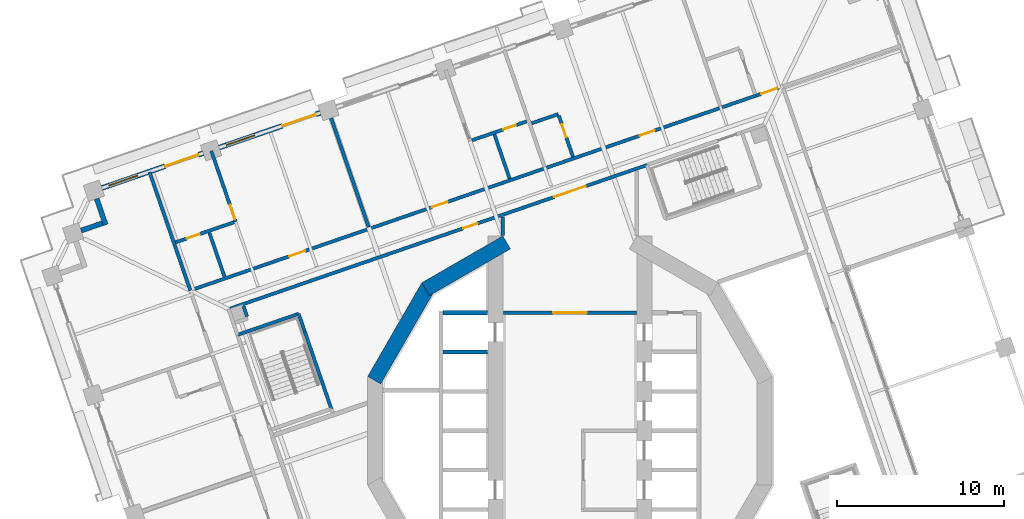
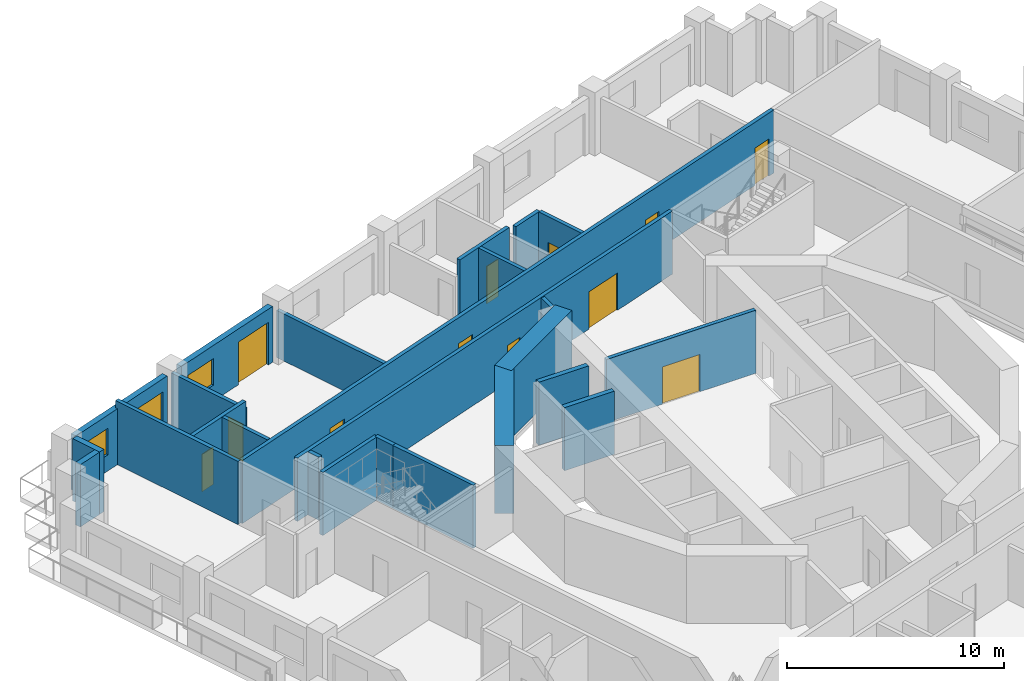
# One storey, part 12 of 22: 25 walls, 13 doors, 2 windows, 15 openings.
"""IFC4 building model written with IfcOpenShell, lengths in metres."""

from ifc_helpers import new_model, si_unit, direction, frame, frame_2d, origin, place, context, subcontext, project, spatial, rectangle, extrude, material, layer, layer_set, type_object, element, fill, save


model = new_model("IFC4")

# Units and contexts
model_context = context("Model", 3, precision=1e-05, world=origin(), true_north=direction((0.0, 1.0)))
body_context = subcontext(model_context, "Body", "Model", "MODEL_VIEW")
ifc_project = project(units=[si_unit("LENGTHUNIT", "METRE"), si_unit("AREAUNIT", "SQUARE_METRE"), si_unit("VOLUMEUNIT", "CUBIC_METRE"), si_unit("PLANEANGLEUNIT", "RADIAN"), si_unit("MASSUNIT", "GRAM", prefix="KILO")], contexts=[model_context])

# Site, building, storey
site_placement = place(None, origin())
site = spatial("IfcSite", under=ifc_project, at=site_placement, CompositionType="ELEMENT")
building_placement = place(site_placement, origin())
building = spatial("IfcBuilding", under=site, at=building_placement, Name="Cantera Rosa Tower", CompositionType="ELEMENT")
storey_placement = place(building_placement, frame((0.0, 0.0, 115.5)))
storey = spatial("IfcBuildingStorey", under=building, at=storey_placement, Name="L23", CompositionType="ELEMENT", Elevation=115.5)

# Wall
ifc_material_1 = material(Name="Gypsum board partition")
ifc_layer_1 = layer(ifc_material_1, 0.199951171875)
ifc_layer_set_1 = layer_set([ifc_layer_1], Name="CORRIDOR WALL 200 H3550")
wall_type_1 = type_object("IfcWallType", Name="CORRIDOR WALL 200 H3550", PredefinedType="PARTITIONING", material=ifc_layer_set_1)
wall_1_placement = place(storey_placement, frame((-4.0, 12.760498046875, 0.0), z_axis=(0.0, 0.0, 1.0), x_axis=(0.0, -1.0, 0.0)))
element("IfcWall", 1, at=wall_1_placement, inside=storey, type_object=wall_type_1, Name="CORRIDOR WALL L23-050", PredefinedType="PARTITIONING", context=body_context, shape_type="SweptSolid", body=[
    extrude(rectangle(XDim=1.09326171875, YDim=0.199951171875, at=frame_2d((0.546630859375, 0.0))), origin(), (0.0, 0.0, 1.0), 3.550048828125),
])

# Wall, opening, door
wall_2_placement = place(storey_placement, frame((-3.969970703125, 7.050048828125, 0.0), z_axis=(0.0, 0.0, 1.0), x_axis=(1.0, 0.0, 0.0)))
wall_2 = element("IfcWall", 2, at=wall_2_placement, inside=storey, type_object=wall_type_1, Name="CORRIDOR WALL L23-051", PredefinedType="PARTITIONING", context=body_context, shape_type="SweptSolid", body=[
    extrude(rectangle(XDim=7.93994140625, YDim=0.199951171875, at=frame_2d((3.969970703125, 0.0))), origin(), (0.0, 0.0, 1.0), 3.550048828125),
])
opening_1_placement = place(wall_2_placement, frame((2.969970703125, 0.0, 0.0)))
opening_1 = element("IfcOpeningElement", 3, at=opening_1_placement, cuts=wall_2, Name="Opening L23-008", PredefinedType="OPENING", context=body_context, shape_type="SweptSolid", body=[
    extrude(rectangle(XDim=2.0, YDim=2.10009765625, at=frame_2d((1.0, 1.050048828125))), frame((0.0, 0.10986328125, 0.0), z_axis=(0.0, -1.0, 0.0), x_axis=(1.0, 0.0, 0.0)), (0.0, 0.0, 1.0), 0.219970703125),
])
ifc_material_2 = material(Name="Steel S355J2 (EN 10025-2)", Category="steel")
door_type_1 = type_object("IfcDoorType", Name="LOBBY SCREEN DOOR 2000x2100", OperationType="NOTDEFINED", PredefinedType="DOOR", material=ifc_material_2)
door_1_placement = place(opening_1_placement, origin())
door_1 = element("IfcDoor", 4, at=door_1_placement, inside=storey, type_object=door_type_1, Name="DOOR L23-008", OperationType="NOTDEFINED", OverallHeight=2.10009765625, OverallWidth=2.0, PredefinedType="DOOR", context=body_context, shape_type="SweptSolid", body=[
    extrude(rectangle(XDim=2.0, YDim=2.10009765625, at=frame_2d((1.0, 1.050048828125))), frame((0.0, 0.02490234375, 0.0), z_axis=(0.0, -1.0, 0.0), x_axis=(1.0, 0.0, 0.0)), (0.0, 0.0, 1.0), 0.050048828125),
])
fill(opening_1, door_1)

# Wall, openings, doors
wall_3_placement = place(storey_placement, frame((4.599365234375, 15.861572265625, 0.0), z_axis=(0.0, 0.0, 1.0), x_axis=(-0.945517734257, -0.325570597884, 0.0)))
wall_3 = element("IfcWall", 5, at=wall_3_placement, inside=storey, type_object=wall_type_1, Name="CORRIDOR WALL L23-071", PredefinedType="PARTITIONING", context=body_context, shape_type="SweptSolid", body=[
    extrude(rectangle(XDim=26.312744140625, YDim=0.199951171875, at=frame_2d((13.15625, 0.0))), origin(), (0.0, 0.0, 1.0), 3.550048828125),
])
opening_2_placement = place(wall_3_placement, frame((10.697021484375, 0.0, 0.0)))
opening_2 = element("IfcOpeningElement", 6, at=opening_2_placement, cuts=wall_3, Name="Opening L23-004", PredefinedType="OPENING", context=body_context, shape_type="SweptSolid", body=[
    extrude(rectangle(XDim=0.89990234375, YDim=2.10009765625, at=frame_2d((0.449951171875, 1.050048828125))), frame((0.0, 0.10986328125, 0.0), z_axis=(0.0, -1.0, 0.0), x_axis=(1.0, 0.0, 0.0)), (0.0, 0.0, 1.0), 0.219970703125),
])
opening_3_placement = place(wall_3_placement, frame((3.864501953125, 0.0, 0.0)))
opening_3 = element("IfcOpeningElement", 7, at=opening_3_placement, cuts=wall_3, Name="Opening L23-007", PredefinedType="OPENING", context=body_context, shape_type="SweptSolid", body=[
    extrude(rectangle(XDim=2.0, YDim=2.10009765625, at=frame_2d((1.0, 1.050048828125))), frame((0.0, 0.10986328125, 0.0), z_axis=(0.0, -1.0, 0.0), x_axis=(1.0, 0.0, 0.0)), (0.0, 0.0, 1.0), 0.219970703125),
])
door_2_placement = place(opening_3_placement, origin())
door_2 = element("IfcDoor", 8, at=door_2_placement, inside=storey, type_object=door_type_1, Name="DOOR L23-007", OperationType="NOTDEFINED", OverallHeight=2.10009765625, OverallWidth=2.0, PredefinedType="DOOR", context=body_context, shape_type="SweptSolid", body=[
    extrude(rectangle(XDim=2.0, YDim=2.10009765625, at=frame_2d((1.0, 1.050048828125))), frame((0.0, 0.02490234375, 0.0), z_axis=(0.0, -1.0, 0.0), x_axis=(1.0, 0.0, 0.0)), (0.0, 0.0, 1.0), 0.050048828125),
])
fill(opening_3, door_2)
ifc_material_3 = material(Name="Timber door leaf", Category="wood")
door_type_2 = type_object("IfcDoorType", Name="SERVICE DOOR 900x2100", OperationType="NOTDEFINED", PredefinedType="DOOR", material=ifc_material_3)
door_3_placement = place(opening_2_placement, origin())
door_3 = element("IfcDoor", 9, at=door_3_placement, inside=storey, type_object=door_type_2, Name="DOOR L23-004", OperationType="NOTDEFINED", OverallHeight=2.10009765625, OverallWidth=0.89990234375, PredefinedType="DOOR", context=body_context, shape_type="SweptSolid", body=[
    extrude(rectangle(XDim=0.89990234375, YDim=2.10009765625, at=frame_2d((0.449951171875, 1.050048828125))), frame((0.0, 0.02490234375, 0.0), z_axis=(0.0, -1.0, 0.0), x_axis=(1.0, 0.0, 0.0)), (0.0, 0.0, 1.0), 0.050048828125),
])
fill(opening_2, door_3)

wall_4_placement = place(storey_placement, frame((12.699951171875, 20.5546875, 0.0), z_axis=(0.0, 0.0, 1.0), x_axis=(-0.945517636741, -0.325570881087, 0.0)))
wall_4 = element("IfcWall", 10, at=wall_4_placement, inside=storey, type_object=wall_type_1, Name="CORRIDOR WALL L23-093", PredefinedType="PARTITIONING", context=body_context, shape_type="SweptSolid", body=[
    extrude(rectangle(XDim=37.300048828125, YDim=0.199951171875, at=frame_2d((18.64990234375, 0.0))), origin(), (0.0, 0.0, 1.0), 3.550048828125),
])
opening_4_placement = place(wall_4_placement, frame((8.074951171875, 0.0, 0.0)))
opening_4 = element("IfcOpeningElement", 11, at=opening_4_placement, cuts=wall_4, Name="Opening L23-017", PredefinedType="OPENING", context=body_context, shape_type="SweptSolid", body=[
    extrude(rectangle(XDim=0.949951171875, YDim=2.10009765625, at=frame_2d((0.47509765625, 1.050048828125))), frame((0.0, 0.10986328125, 0.0), z_axis=(0.0, -1.0, 0.0), x_axis=(1.0, 0.0, 0.0)), (0.0, 0.0, 1.0), 0.219970703125),
])
opening_5_placement = place(wall_4_placement, frame((21.14990234375, 0.0, 0.0)))
opening_5 = element("IfcOpeningElement", 12, at=opening_5_placement, cuts=wall_4, Name="Opening L23-019", PredefinedType="OPENING", context=body_context, shape_type="SweptSolid", body=[
    extrude(rectangle(XDim=1.0, YDim=2.10009765625, at=frame_2d((0.5, 1.050048828125))), frame((0.0, 0.10986328125, 0.0), z_axis=(0.0, -1.0, 0.0), x_axis=(1.0, 0.0, 0.0)), (0.0, 0.0, 1.0), 0.219970703125),
])
opening_6_placement = place(wall_4_placement, frame((30.14990234375, 0.0, 0.0)))
opening_6 = element("IfcOpeningElement", 13, at=opening_6_placement, cuts=wall_4, Name="Opening L23-022", PredefinedType="OPENING", context=body_context, shape_type="SweptSolid", body=[
    extrude(rectangle(XDim=1.0, YDim=2.10009765625, at=frame_2d((0.5, 1.050048828125))), frame((0.0, 0.10986328125, 0.0), z_axis=(0.0, -1.0, 0.0), x_axis=(1.0, 0.0, 0.0)), (0.0, 0.0, 1.0), 0.219970703125),
])
opening_7_placement = place(wall_4_placement, frame((0.35009765625, 0.0, 0.0)))
opening_7 = element("IfcOpeningElement", 14, at=opening_7_placement, cuts=wall_4, Name="Opening L23-025", PredefinedType="OPENING", context=body_context, shape_type="SweptSolid", body=[
    extrude(rectangle(XDim=1.0, YDim=2.10009765625, at=frame_2d((0.5, 1.050048828125))), frame((0.0, 0.10986328125, 0.0), z_axis=(0.0, -1.0, 0.0), x_axis=(1.0, 0.0, 0.0)), (0.0, 0.0, 1.0), 0.219970703125),
])
ifc_material_4 = material(Name="Timber door leaf", Category="wood")
door_type_3 = type_object("IfcDoorType", Name="ENTRANCE DOOR 1000x2100", OperationType="NOTDEFINED", PredefinedType="DOOR", material=ifc_material_4)
door_4_placement = place(opening_5_placement, origin())
door_4 = element("IfcDoor", 15, at=door_4_placement, inside=storey, type_object=door_type_3, Name="DOOR L23-019", OperationType="NOTDEFINED", OverallHeight=2.10009765625, OverallWidth=1.0, PredefinedType="DOOR", context=body_context, shape_type="SweptSolid", body=[
    extrude(rectangle(XDim=1.0, YDim=2.10009765625, at=frame_2d((0.5, 1.050048828125))), frame((0.0, 0.02490234375, 0.0), z_axis=(0.0, -1.0, 0.0), x_axis=(1.0, 0.0, 0.0)), (0.0, 0.0, 1.0), 0.050048828125),
])
fill(opening_5, door_4)
door_5_placement = place(opening_6_placement, origin())
door_5 = element("IfcDoor", 16, at=door_5_placement, inside=storey, type_object=door_type_3, Name="DOOR L23-022", OperationType="NOTDEFINED", OverallHeight=2.10009765625, OverallWidth=1.0, PredefinedType="DOOR", context=body_context, shape_type="SweptSolid", body=[
    extrude(rectangle(XDim=1.0, YDim=2.10009765625, at=frame_2d((0.5, 1.050048828125))), frame((0.0, 0.02490234375, 0.0), z_axis=(0.0, -1.0, 0.0), x_axis=(1.0, 0.0, 0.0)), (0.0, 0.0, 1.0), 0.050048828125),
])
fill(opening_6, door_5)
door_6_placement = place(opening_7_placement, origin())
door_6 = element("IfcDoor", 17, at=door_6_placement, inside=storey, type_object=door_type_3, Name="DOOR L23-025", OperationType="NOTDEFINED", OverallHeight=2.10009765625, OverallWidth=1.0, PredefinedType="DOOR", context=body_context, shape_type="SweptSolid", body=[
    extrude(rectangle(XDim=1.0, YDim=2.10009765625, at=frame_2d((0.5, 1.050048828125))), frame((0.0, 0.02490234375, 0.0), z_axis=(0.0, -1.0, 0.0), x_axis=(1.0, 0.0, 0.0)), (0.0, 0.0, 1.0), 0.050048828125),
])
fill(opening_7, door_6)
ifc_material_5 = material(Name="Timber door leaf", Category="wood")
door_type_4 = type_object("IfcDoorType", Name="ROOM DOOR 950x2100", OperationType="NOTDEFINED", PredefinedType="DOOR", material=ifc_material_5)
door_7_placement = place(opening_4_placement, origin())
door_7 = element("IfcDoor", 18, at=door_7_placement, inside=storey, type_object=door_type_4, Name="DOOR L23-017", OperationType="NOTDEFINED", OverallHeight=2.10009765625, OverallWidth=0.949951171875, PredefinedType="DOOR", context=body_context, shape_type="SweptSolid", body=[
    extrude(rectangle(XDim=0.949951171875, YDim=2.10009765625, at=frame_2d((0.47509765625, 1.050048828125))), frame((0.0, 0.02490234375, 0.0), z_axis=(0.0, -1.0, 0.0), x_axis=(1.0, 0.0, 0.0)), (0.0, 0.0, 1.0), 0.050048828125),
])
fill(opening_4, door_7)

# Walls
ifc_material_6 = material(Name="Hollow clay masonry with cantera stone cladding", Category="masonry")
ifc_layer_2 = layer(ifc_material_6, 0.300048828125)
ifc_layer_set_2 = layer_set([ifc_layer_2], Name="EW-LOGGIA 300")
wall_type_2 = type_object("IfcWallType", Name="EW-LOGGIA 300", PredefinedType="SOLIDWALL", material=ifc_layer_set_2)
wall_5_placement = place(storey_placement, frame((-28.250732421875, 13.857421875, 0.0), z_axis=(0.0, 0.0, 1.0), x_axis=(0.325666906351, -0.945484566827, 0.0)))
element("IfcWall", 19, at=wall_5_placement, inside=storey, type_object=wall_type_2, Name="EN-L23-W14a", PredefinedType="SOLIDWALL", context=body_context, shape_type="SweptSolid", body=[
    extrude(rectangle(XDim=1.64990234375, YDim=0.300048828125, at=frame_2d((0.824951171875, 0.0))), origin(), (0.0, 0.0, 1.0), 3.5),
])
wall_6_placement = place(storey_placement, frame((-27.904052734375, 12.390380859375, 0.0), z_axis=(0.0, 0.0, 1.0), x_axis=(-0.945545797087, -0.325489086777, 0.0)))
element("IfcWall", 20, at=wall_6_placement, inside=storey, type_object=wall_type_2, Name="EN-L23-W14b", PredefinedType="SOLIDWALL", context=body_context, shape_type="SweptSolid", body=[
    extrude(rectangle(XDim=1.35009765625, YDim=0.300048828125, at=frame_2d((0.675048828125, 0.0))), origin(), (0.0, 0.0, 1.0), 3.5),
])

# Wall, openings, window, door
ifc_material_7 = material(Name="Hollow clay masonry with cantera stone cladding", Category="masonry")
ifc_layer_3 = layer(ifc_material_7, 0.300048828125)
ifc_layer_set_3 = layer_set([ifc_layer_3], Name="EW-LOGGIA 300 H3140")
wall_type_3 = type_object("IfcWallType", Name="EW-LOGGIA 300 H3140", PredefinedType="SOLIDWALL", material=ifc_layer_set_3)
wall_7_placement = place(storey_placement, frame((-14.892578125, 18.98583984375, 0.0), z_axis=(0.0, 0.0, 1.0), x_axis=(-0.945512753621, -0.325585062219, 0.0)))
wall_7 = element("IfcWall", 21, at=wall_7_placement, inside=storey, type_object=wall_type_3, Name="EN-L23-W12", PredefinedType="SOLIDWALL", context=body_context, shape_type="SweptSolid", body=[
    extrude(rectangle(XDim=6.39990234375, YDim=0.300048828125, at=frame_2d((3.199951171875, 0.0))), origin(), (0.0, 0.0, 1.0), 3.139892578125),
])
opening_8_placement = place(wall_7_placement, frame((0.300048828125, 0.0, 0.0)))
opening_8 = element("IfcOpeningElement", 22, at=opening_8_placement, cuts=wall_7, Name="Opening L23-TD15", PredefinedType="OPENING", context=body_context, shape_type="SweptSolid", body=[
    extrude(rectangle(XDim=2.10009765625, YDim=2.39990234375, at=frame_2d((1.050048828125, 1.199951171875))), frame((0.0, 0.159912109375, 0.0), z_axis=(0.0, -1.0, 0.0), x_axis=(1.0, 0.0, 0.0)), (0.0, 0.0, 1.0), 0.320068359375),
])
opening_9_placement = place(wall_7_placement, frame((4.14990234375, 0.0, 0.89990234375)))
opening_9 = element("IfcOpeningElement", 23, at=opening_9_placement, cuts=wall_7, Name="Opening L23-W16", PredefinedType="OPENING", context=body_context, shape_type="SweptSolid", body=[
    extrude(rectangle(XDim=1.800048828125, YDim=1.5, at=frame_2d((0.89990234375, 0.75))), frame((0.0, 0.159912109375, 0.0), z_axis=(0.0, -1.0, 0.0), x_axis=(1.0, 0.0, 0.0)), (0.0, 0.0, 1.0), 0.320068359375),
])
ifc_material_8 = material(Name="Aluminium frame with clear glass", Category="aluminium")
window_type = type_object("IfcWindowType", Name="Hotel room window 1800x1500", PartitioningType="DOUBLE_PANEL_VERTICAL", PredefinedType="WINDOW", material=ifc_material_8)
window_1_placement = place(opening_9_placement, origin())
window_1 = element("IfcWindow", 24, at=window_1_placement, inside=storey, type_object=window_type, Name="WINDOW L23-W16", OverallHeight=1.5, OverallWidth=1.800048828125, PartitioningType="SINGLE_PANEL", PredefinedType="WINDOW", context=body_context, shape_type="SweptSolid", body=[
    extrude(rectangle(XDim=1.800048828125, YDim=1.5, at=frame_2d((0.89990234375, 0.75))), frame((0.0, 0.030029296875, 0.0), z_axis=(0.0, -1.0, 0.0), x_axis=(1.0, 0.0, 0.0)), (0.0, 0.0, 1.0), 0.06005859375),
])
fill(opening_9, window_1)
ifc_material_9 = material(Name="Aluminium frame with clear glass", Category="aluminium")
door_type_5 = type_object("IfcDoorType", Name="TD-H 2100x2400", OperationType="NOTDEFINED", PredefinedType="DOOR", material=ifc_material_9)
door_8_placement = place(opening_8_placement, origin())
door_8 = element("IfcDoor", 25, at=door_8_placement, inside=storey, type_object=door_type_5, Name="LOGGIA DOOR L23-TD15", OperationType="SLIDING_TO_LEFT", OverallHeight=2.39990234375, OverallWidth=2.10009765625, PredefinedType="DOOR", context=body_context, shape_type="SweptSolid", body=[
    extrude(rectangle(XDim=2.10009765625, YDim=2.39990234375, at=frame_2d((1.050048828125, 1.199951171875))), frame((0.0, 0.02490234375, 0.0), z_axis=(0.0, -1.0, 0.0), x_axis=(1.0, 0.0, 0.0)), (0.0, 0.0, 1.0), 0.050048828125),
])
fill(opening_8, door_8)

wall_8_placement = place(storey_placement, frame((-21.889404296875, 16.57666015625, 0.0), z_axis=(0.0, 0.0, 1.0), x_axis=(-0.945512753621, -0.325585062219, 0.0)))
wall_8 = element("IfcWall", 26, at=wall_8_placement, inside=storey, type_object=wall_type_3, Name="EN-L23-W13", PredefinedType="SOLIDWALL", context=body_context, shape_type="SweptSolid", body=[
    extrude(rectangle(XDim=6.39990234375, YDim=0.300048828125, at=frame_2d((3.199951171875, 0.0))), origin(), (0.0, 0.0, 1.0), 3.139892578125),
])
opening_10_placement = place(wall_8_placement, frame((0.300048828125, 0.0, 0.0)))
opening_10 = element("IfcOpeningElement", 27, at=opening_10_placement, cuts=wall_8, Name="Opening L23-TD17", PredefinedType="OPENING", context=body_context, shape_type="SweptSolid", body=[
    extrude(rectangle(XDim=2.10009765625, YDim=2.39990234375, at=frame_2d((1.050048828125, 1.199951171875))), frame((0.0, 0.159912109375, 0.0), z_axis=(0.0, -1.0, 0.0), x_axis=(1.0, 0.0, 0.0)), (0.0, 0.0, 1.0), 0.320068359375),
])
opening_11_placement = place(wall_8_placement, frame((4.14990234375, 0.0, 0.89990234375)))
opening_11 = element("IfcOpeningElement", 28, at=opening_11_placement, cuts=wall_8, Name="Opening L23-W18", PredefinedType="OPENING", context=body_context, shape_type="SweptSolid", body=[
    extrude(rectangle(XDim=1.800048828125, YDim=1.5, at=frame_2d((0.89990234375, 0.75))), frame((0.0, 0.159912109375, 0.0), z_axis=(0.0, -1.0, 0.0), x_axis=(1.0, 0.0, 0.0)), (0.0, 0.0, 1.0), 0.320068359375),
])
window_2_placement = place(opening_11_placement, origin())
window_2 = element("IfcWindow", 29, at=window_2_placement, inside=storey, type_object=window_type, Name="WINDOW L23-W18", OverallHeight=1.5, OverallWidth=1.800048828125, PartitioningType="SINGLE_PANEL", PredefinedType="WINDOW", context=body_context, shape_type="SweptSolid", body=[
    extrude(rectangle(XDim=1.800048828125, YDim=1.5, at=frame_2d((0.89990234375, 0.75))), frame((0.0, 0.030029296875, 0.0), z_axis=(0.0, -1.0, 0.0), x_axis=(1.0, 0.0, 0.0)), (0.0, 0.0, 1.0), 0.06005859375),
])
fill(opening_11, window_2)
door_9_placement = place(opening_10_placement, origin())
door_9 = element("IfcDoor", 30, at=door_9_placement, inside=storey, type_object=door_type_5, Name="LOGGIA DOOR L23-TD17", OperationType="SLIDING_TO_LEFT", OverallHeight=2.39990234375, OverallWidth=2.10009765625, PredefinedType="DOOR", context=body_context, shape_type="SweptSolid", body=[
    extrude(rectangle(XDim=2.10009765625, YDim=2.39990234375, at=frame_2d((1.050048828125, 1.199951171875))), frame((0.0, 0.02490234375, 0.0), z_axis=(0.0, -1.0, 0.0), x_axis=(1.0, 0.0, 0.0)), (0.0, 0.0, 1.0), 0.050048828125),
])
fill(opening_10, door_9)

# Wall, opening, door
ifc_material_10 = material(Name="Gypsum board partition")
ifc_layer_4 = layer(ifc_material_10, 0.199951171875)
ifc_layer_set_4 = layer_set([ifc_layer_4], Name="PARTITION 200 H3050")
wall_type_4 = type_object("IfcWallType", Name="PARTITION 200 H3050", PredefinedType="PARTITIONING", material=ifc_layer_set_4)
wall_9_placement = place(storey_placement, frame((-21.406982421875, 16.7109375, 0.0), z_axis=(0.0, 0.0, 1.0), x_axis=(0.325584985388, -0.945512780078, 0.0)))
wall_9 = element("IfcWall", 31, at=wall_9_placement, inside=storey, type_object=wall_type_4, Name="PARTITION L23-006", PredefinedType="PARTITIONING", context=body_context, shape_type="SweptSolid", body=[
    extrude(rectangle(XDim=4.469970703125, YDim=0.199951171875, at=frame_2d((2.23486328125, 0.0))), origin(), (0.0, 0.0, 1.0), 3.050048828125),
])
opening_12_placement = place(wall_9_placement, frame((3.419921875, 0.0, 0.0)))
opening_12 = element("IfcOpeningElement", 32, at=opening_12_placement, cuts=wall_9, Name="Opening L23-023", PredefinedType="OPENING", context=body_context, shape_type="SweptSolid", body=[
    extrude(rectangle(XDim=0.89990234375, YDim=2.10009765625, at=frame_2d((0.449951171875, 1.050048828125))), frame((0.0, 0.10986328125, 0.0), z_axis=(0.0, -1.0, 0.0), x_axis=(1.0, 0.0, 0.0)), (0.0, 0.0, 1.0), 0.219970703125),
])
ifc_material_11 = material(Name="Timber door leaf", Category="wood")
door_type_6 = type_object("IfcDoorType", Name="ROOM DOOR 900x2100", OperationType="NOTDEFINED", PredefinedType="DOOR", material=ifc_material_11)
door_10_placement = place(opening_12_placement, origin())
door_10 = element("IfcDoor", 33, at=door_10_placement, inside=storey, type_object=door_type_6, Name="DOOR L23-023", OperationType="NOTDEFINED", OverallHeight=2.10009765625, OverallWidth=0.89990234375, PredefinedType="DOOR", context=body_context, shape_type="SweptSolid", body=[
    extrude(rectangle(XDim=0.89990234375, YDim=2.10009765625, at=frame_2d((0.449951171875, 1.050048828125))), frame((0.0, 0.02490234375, 0.0), z_axis=(0.0, -1.0, 0.0), x_axis=(1.0, 0.0, 0.0)), (0.0, 0.0, 1.0), 0.050048828125),
])
fill(opening_12, door_10)

# Wall
ifc_material_12 = material(Name="Gypsum board partition")
ifc_layer_5 = layer(ifc_material_12, 0.199951171875)
ifc_layer_set_5 = layer_set([ifc_layer_5], Name="PARTITION 200 H3550")
wall_type_5 = type_object("IfcWallType", Name="PARTITION 200 H3550", PredefinedType="PARTITIONING", material=ifc_layer_set_5)
wall_10_placement = place(storey_placement, frame((-21.52001953125, 11.817626953125, 0.0), z_axis=(0.0, 0.0, 1.0), x_axis=(0.325606281984, -0.945505446379, 0.0)))
element("IfcWall", 34, at=wall_10_placement, inside=storey, type_object=wall_type_5, Name="PARTITION L23-005", PredefinedType="PARTITIONING", context=body_context, shape_type="SweptSolid", body=[
    extrude(rectangle(XDim=2.760009765625, YDim=0.199951171875, at=frame_2d((1.3798828125, 0.0))), origin(), (0.0, 0.0, 1.0), 3.550048828125),
])

# Wall, opening, door
wall_11_placement = place(storey_placement, frame((-20.046142578125, 12.451904296875, 0.0), z_axis=(0.0, 0.0, 1.0), x_axis=(-0.945515942466, -0.32557580153, 0.0)))
wall_11 = element("IfcWall", 35, at=wall_11_placement, inside=storey, type_object=wall_type_5, Name="PARTITION L23-010", PredefinedType="PARTITIONING", context=body_context, shape_type="SweptSolid", body=[
    extrude(rectangle(XDim=3.699951171875, YDim=0.199951171875, at=frame_2d((1.85009765625, 0.0))), origin(), (0.0, 0.0, 1.0), 3.550048828125),
])
opening_13_placement = place(wall_11_placement, frame((2.18994140625, 0.0, 0.0)))
opening_13 = element("IfcOpeningElement", 36, at=opening_13_placement, cuts=wall_11, Name="Opening L23-024", PredefinedType="OPENING", context=body_context, shape_type="SweptSolid", body=[
    extrude(rectangle(XDim=0.800048828125, YDim=2.10009765625, at=frame_2d((0.39990234375, 1.050048828125))), frame((0.0, 0.10986328125, 0.0), z_axis=(0.0, -1.0, 0.0), x_axis=(1.0, 0.0, 0.0)), (0.0, 0.0, 1.0), 0.219970703125),
])
ifc_material_13 = material(Name="Timber door leaf", Category="wood")
door_type_7 = type_object("IfcDoorType", Name="BATHROOM DOOR 800x2100", OperationType="NOTDEFINED", PredefinedType="DOOR", material=ifc_material_13)
door_11_placement = place(opening_13_placement, origin())
door_11 = element("IfcDoor", 37, at=door_11_placement, inside=storey, type_object=door_type_7, Name="DOOR L23-024", OperationType="NOTDEFINED", OverallHeight=2.10009765625, OverallWidth=0.800048828125, PredefinedType="DOOR", context=body_context, shape_type="SweptSolid", body=[
    extrude(rectangle(XDim=0.800048828125, YDim=2.10009765625, at=frame_2d((0.39990234375, 1.050048828125))), frame((0.0, 0.02490234375, 0.0), z_axis=(0.0, -1.0, 0.0), x_axis=(1.0, 0.0, 0.0)), (0.0, 0.0, 1.0), 0.050048828125),
])
fill(opening_13, door_11)

# Walls
wall_12_placement = place(storey_placement, frame((-19.26953125, 6.81787109375, 0.0), z_axis=(0.0, 0.0, 1.0), x_axis=(-0.32553462645, 0.945530119553, 0.0)))
element("IfcWall", 38, at=wall_12_placement, inside=storey, type_object=wall_type_5, Name="PARTITION L23-015", PredefinedType="PARTITIONING", context=body_context, shape_type="SweptSolid", body=[
    extrude(rectangle(XDim=0.659912109375, YDim=0.199951171875, at=frame_2d((0.330078125, 0.0))), origin(), (0.0, 0.0, 1.0), 3.550048828125),
])
wall_13_placement = place(storey_placement, frame((-3.595458984375, 15.04931640625, 0.0), z_axis=(0.0, 0.0, 1.0), x_axis=(-0.325576835135, 0.945515586558, 0.0)))
element("IfcWall", 39, at=wall_13_placement, inside=storey, type_object=wall_type_5, Name="PARTITION L23-052", PredefinedType="PARTITIONING", context=body_context, shape_type="SweptSolid", body=[
    extrude(rectangle(XDim=2.800048828125, YDim=0.199951171875, at=frame_2d((1.39990234375, 0.0))), origin(), (0.0, 0.0, 1.0), 3.550048828125),
])

# Wall, opening, door
wall_14_placement = place(storey_placement, frame((-2.572998046875, 18.468505859375, 0.0), z_axis=(0.0, 0.0, 1.0), x_axis=(-0.945518358783, -0.325568784136, 0.0)))
wall_14 = element("IfcWall", 40, at=wall_14_placement, inside=storey, type_object=wall_type_5, Name="PARTITION L23-054", PredefinedType="PARTITIONING", context=body_context, shape_type="SweptSolid", body=[
    extrude(rectangle(XDim=3.4599609375, YDim=0.199951171875, at=frame_2d((1.72998046875, 0.0))), origin(), (0.0, 0.0, 1.0), 3.550048828125),
])
opening_14_placement = place(wall_14_placement, frame((0.68994140625, 0.0, 0.0)))
opening_14 = element("IfcOpeningElement", 41, at=opening_14_placement, cuts=wall_14, Name="Opening L23-021", PredefinedType="OPENING", context=body_context, shape_type="SweptSolid", body=[
    extrude(rectangle(XDim=0.800048828125, YDim=2.10009765625, at=frame_2d((0.39990234375, 1.050048828125))), frame((0.0, 0.10986328125, 0.0), z_axis=(0.0, -1.0, 0.0), x_axis=(1.0, 0.0, 0.0)), (0.0, 0.0, 1.0), 0.219970703125),
])
door_12_placement = place(opening_14_placement, origin())
door_12 = element("IfcDoor", 42, at=door_12_placement, inside=storey, type_object=door_type_7, Name="DOOR L23-021", OperationType="NOTDEFINED", OverallHeight=2.10009765625, OverallWidth=0.800048828125, PredefinedType="DOOR", context=body_context, shape_type="SweptSolid", body=[
    extrude(rectangle(XDim=0.800048828125, YDim=2.10009765625, at=frame_2d((0.39990234375, 1.050048828125))), frame((0.0, 0.02490234375, 0.0), z_axis=(0.0, -1.0, 0.0), x_axis=(1.0, 0.0, 0.0)), (0.0, 0.0, 1.0), 0.050048828125),
])
fill(opening_14, door_12)

# Wall
wall_15_placement = place(storey_placement, frame((-2.281005859375, 18.357666015625, 0.0), z_axis=(0.0, 0.0, 1.0), x_axis=(0.945542718091, 0.325498031124, 0.0)))
element("IfcWall", 43, at=wall_15_placement, inside=storey, type_object=wall_type_5, Name="PARTITION L23-055", PredefinedType="PARTITIONING", context=body_context, shape_type="SweptSolid", body=[
    extrude(rectangle(XDim=1.68017578125, YDim=0.199951171875, at=frame_2d((0.840087890625, 0.0))), origin(), (0.0, 0.0, 1.0), 3.550048828125),
])

# Wall, opening, door
wall_16_placement = place(storey_placement, frame((-0.659912109375, 18.81005859375, 0.0), z_axis=(0.0, 0.0, 1.0), x_axis=(0.325536334257, -0.945529531574, 0.0)))
wall_16 = element("IfcWall", 44, at=wall_16_placement, inside=storey, type_object=wall_type_5, Name="PARTITION L23-058", PredefinedType="PARTITIONING", context=body_context, shape_type="SweptSolid", body=[
    extrude(rectangle(XDim=2.60009765625, YDim=0.199951171875, at=frame_2d((1.300048828125, 0.0))), origin(), (0.0, 0.0, 1.0), 3.550048828125),
])
opening_15_placement = place(wall_16_placement, frame((0.56396484375, 0.0, 0.0)))
opening_15 = element("IfcOpeningElement", 45, at=opening_15_placement, cuts=wall_16, Name="Opening L23-018", PredefinedType="OPENING", context=body_context, shape_type="SweptSolid", body=[
    extrude(rectangle(XDim=0.800048828125, YDim=2.10009765625, at=frame_2d((0.39990234375, 1.050048828125))), frame((0.0, 0.10986328125, 0.0), z_axis=(0.0, -1.0, 0.0), x_axis=(1.0, 0.0, 0.0)), (0.0, 0.0, 1.0), 0.219970703125),
])
door_13_placement = place(opening_15_placement, origin())
door_13 = element("IfcDoor", 46, at=door_13_placement, inside=storey, type_object=door_type_7, Name="DOOR L23-018", OperationType="NOTDEFINED", OverallHeight=2.10009765625, OverallWidth=0.800048828125, PredefinedType="DOOR", context=body_context, shape_type="SweptSolid", body=[
    extrude(rectangle(XDim=0.800048828125, YDim=2.10009765625, at=frame_2d((0.39990234375, 1.050048828125))), frame((0.0, 0.02490234375, 0.0), z_axis=(0.0, -1.0, 0.0), x_axis=(1.0, 0.0, 0.0)), (0.0, 0.0, 1.0), 0.050048828125),
])
fill(opening_15, door_13)

# Walls
ifc_material_14 = material(Name="Gypsum board partition")
ifc_layer_6 = layer(ifc_material_14, 0.199951171875)
ifc_layer_set_6 = layer_set([ifc_layer_6], Name="PARTY WALL 200 H2650")
wall_type_6 = type_object("IfcWallType", Name="PARTY WALL 200 H2650", PredefinedType="PARTITIONING", material=ifc_layer_set_6)
wall_17_placement = place(storey_placement, frame((-12.010498046875, 12.15185546875, 0.0), z_axis=(0.0, 0.0, 1.0), x_axis=(-0.325563917555, 0.945520034471, 0.0)))
element("IfcWall", 47, at=wall_17_placement, inside=storey, type_object=wall_type_6, Name="PARTY WALL L23-029", PredefinedType="PARTITIONING", context=body_context, shape_type="SweptSolid", body=[
    extrude(rectangle(XDim=7.3701171875, YDim=0.199951171875, at=frame_2d((3.68505859375, 0.0))), origin(), (0.0, 0.0, 1.0), 2.64990234375),
])
ifc_material_15 = material(Name="Gypsum board partition")
ifc_layer_7 = layer(ifc_material_15, 0.199951171875)
ifc_layer_set_7 = layer_set([ifc_layer_7], Name="PARTY WALL 200 H3550")
wall_type_7 = type_object("IfcWallType", Name="PARTY WALL 200 H3550", PredefinedType="PARTITIONING", material=ifc_layer_set_7)
wall_18_placement = place(storey_placement, frame((-22.662353515625, 8.37841796875, 0.0), z_axis=(0.0, 0.0, 1.0), x_axis=(-0.325585748291, 0.945512517373, 0.0)))
element("IfcWall", 48, at=wall_18_placement, inside=storey, type_object=wall_type_7, Name="PARTY WALL L23-003", PredefinedType="PARTITIONING", context=body_context, shape_type="SweptSolid", body=[
    extrude(rectangle(XDim=7.469970703125, YDim=0.199951171875, at=frame_2d((3.73486328125, 0.0))), origin(), (0.0, 0.0, 1.0), 3.550048828125),
])
ifc_material_16 = material(Name="Concrete C70/85", Category="concrete")
ifc_layer_8 = layer(ifc_material_16, 0.89990234375)
ifc_layer_set_8 = layer_set([ifc_layer_8], Name="RC CORE WALL 900 C70/85")
wall_type_8 = type_object("IfcWallType", Name="RC CORE WALL 900 C70/85", PredefinedType="SHEAR", material=ifc_layer_set_8)
wall_19_placement = place(storey_placement, frame((-11.684326171875, 3.01025390625, 0.0), z_axis=(0.0, 0.0, 1.0), x_axis=(0.499990282633, 0.866031014036, 0.0)))
element("IfcWall", 49, at=wall_19_placement, inside=storey, type_object=wall_type_8, Name="CW-W4 L23", PredefinedType="SHEAR", context=body_context, shape_type="SweptSolid", body=[
    extrude(rectangle(XDim=6.470458984375, YDim=0.89990234375, at=frame_2d((3.2353515625, 0.0))), origin(), (0.0, 0.0, 1.0), 3.800048828125),
])
wall_20_placement = place(storey_placement, frame((-8.61376953125, 8.44921875, 0.0), z_axis=(0.0, 0.0, 1.0), x_axis=(0.866026961591, 0.49999730179, 0.0)))
element("IfcWall", 50, at=wall_20_placement, inside=storey, type_object=wall_type_8, Name="CW-W5 L23", PredefinedType="SHEAR", context=body_context, shape_type="SweptSolid", body=[
    extrude(rectangle(XDim=5.58740234375, YDim=0.89990234375, at=frame_2d((2.793701171875, 0.0))), origin(), (0.0, 0.0, 1.0), 3.800048828125),
])
ifc_material_17 = material(Name="Masonry blockwork", Category="masonry")
ifc_layer_9 = layer(ifc_material_17, 0.25)
ifc_layer_set_9 = layer_set([ifc_layer_9], Name="SHAFT WALL 250 H3550")
wall_type_9 = type_object("IfcWallType", Name="SHAFT WALL 250 H3550", PredefinedType="SOLIDWALL", material=ifc_layer_set_9)
wall_21_placement = place(storey_placement, frame((-7.574951171875, 4.699951171875, 0.0), z_axis=(0.0, 0.0, 1.0), x_axis=(1.0, 0.0, 0.0)))
element("IfcWall", 51, at=wall_21_placement, inside=storey, type_object=wall_type_9, Name="SHAFT WALL L23-043", PredefinedType="SOLIDWALL", context=body_context, shape_type="SweptSolid", body=[
    extrude(rectangle(XDim=2.64501953125, YDim=0.25, at=frame_2d((1.322509765625, 0.0))), origin(), (0.0, 0.0, 1.0), 3.550048828125),
])
wall_22_placement = place(storey_placement, frame((-4.929931640625, 7.050048828125, 0.0), z_axis=(0.0, 0.0, 1.0), x_axis=(-1.0, 0.0, 0.0)))
element("IfcWall", 52, at=wall_22_placement, inside=storey, type_object=wall_type_9, Name="SHAFT WALL L23-047", PredefinedType="SOLIDWALL", context=body_context, shape_type="SweptSolid", body=[
    extrude(rectangle(XDim=2.650146484375, YDim=0.25, at=frame_2d((1.3251953125, 0.0))), origin(), (0.0, 0.0, 1.0), 3.550048828125),
])
ifc_material_18 = material(Name="Concrete C50/60", Category="concrete")
ifc_layer_10 = layer(ifc_material_18, 0.199951171875)
ifc_layer_set_10 = layer_set([ifc_layer_10], Name="STAIR WALL 200 H3550")
wall_type_10 = type_object("IfcWallType", Name="STAIR WALL 200 H3550", PredefinedType="SOLIDWALL", material=ifc_layer_set_10)
wall_23_placement = place(storey_placement, frame((-16.193115234375, 6.98193359375, 0.0), z_axis=(0.0, 0.0, 1.0), x_axis=(-0.945507920529, -0.325599097382, 0.0)))
element("IfcWall", 53, at=wall_23_placement, inside=storey, type_object=wall_type_10, Name="STAIR WALL L23-023", PredefinedType="SOLIDWALL", context=body_context, shape_type="SweptSolid", body=[
    extrude(rectangle(XDim=3.8623046875, YDim=0.199951171875, at=frame_2d((1.93115234375, 0.0))), origin(), (0.0, 0.0, 1.0), 3.550048828125),
])
wall_24_placement = place(storey_placement, frame((-14.239501953125, 1.308837890625, 0.0), z_axis=(0.0, 0.0, 1.0), x_axis=(-0.325599106316, 0.945507917453, 0.0)))
element("IfcWall", 54, at=wall_24_placement, inside=storey, type_object=wall_type_10, Name="STAIR WALL L23-026", PredefinedType="SOLIDWALL", context=body_context, shape_type="SweptSolid", body=[
    extrude(rectangle(XDim=4.900146484375, YDim=0.199951171875, at=frame_2d((2.4501953125, 0.0))), origin(), (0.0, 0.0, 1.0), 3.550048828125),
])
wall_25_placement = place(storey_placement, frame((-15.8349609375, 5.94189453125, 0.0), z_axis=(0.0, 0.0, 1.0), x_axis=(-0.325600768791, 0.945507344955, 0.0)))
element("IfcWall", 55, at=wall_25_placement, inside=storey, type_object=wall_type_10, Name="STAIR WALL L23-026 J", PredefinedType="SOLIDWALL", context=body_context, shape_type="SweptSolid", body=[
    extrude(rectangle(XDim=1.10009765625, YDim=0.199951171875, at=frame_2d((0.550048828125, 0.0))), origin(), (0.0, 0.0, 1.0), 3.550048828125),
])

save(model, "model.ifc")
